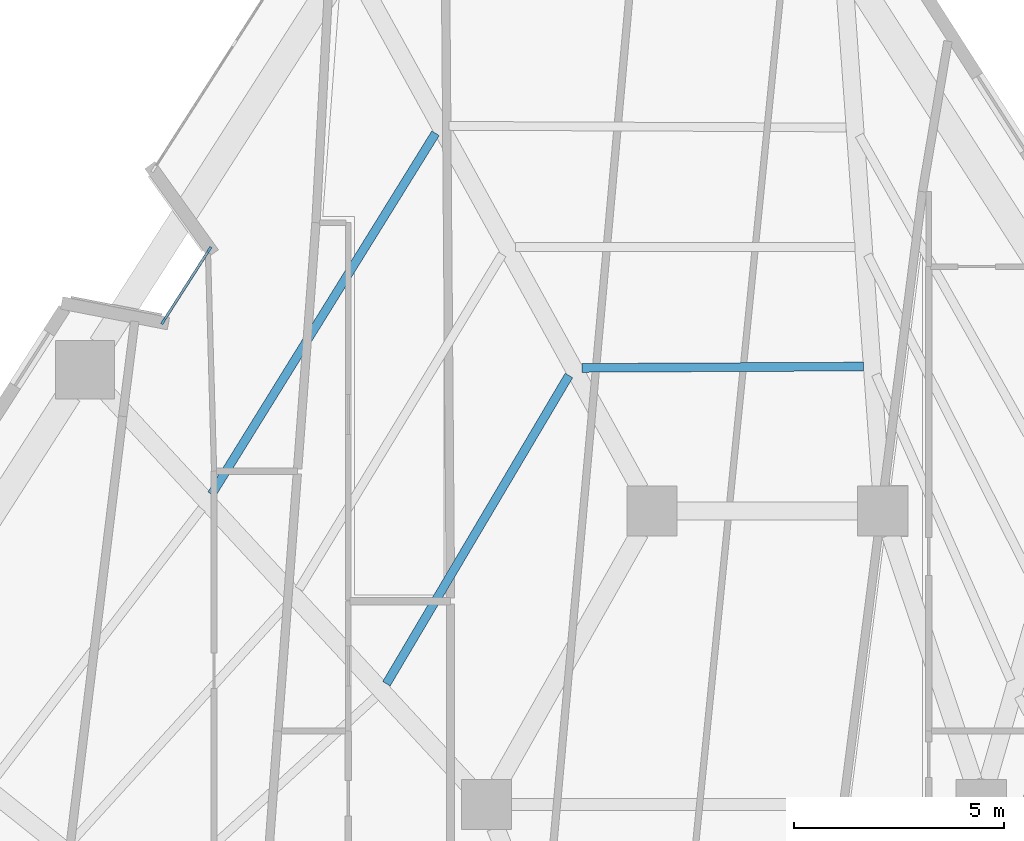
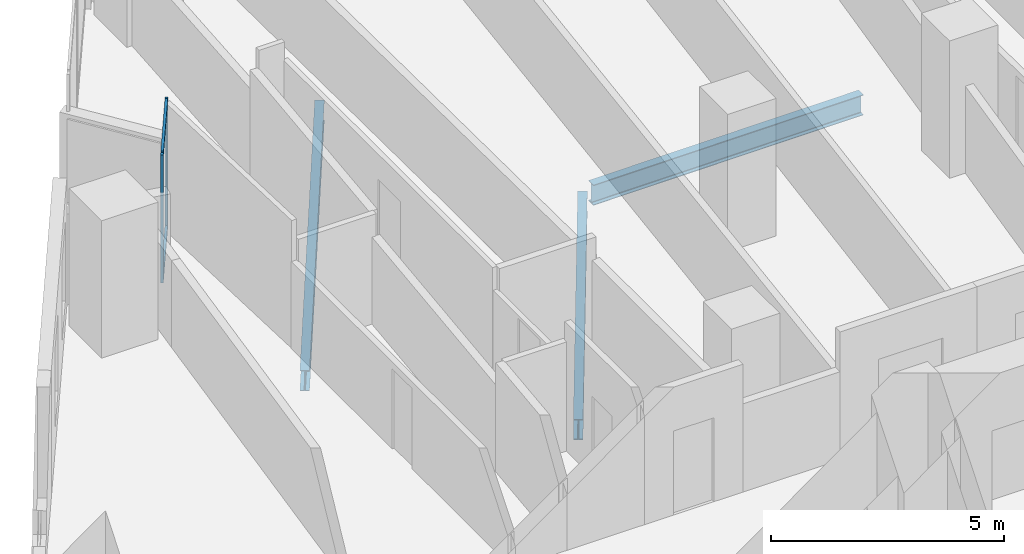
# One storey, part 2 of 14: 4 members, 3 beams, 1 element without a shape of its own.
"""IFC4 building model written with IfcOpenShell, lengths in metres."""

from ifc_helpers import new_model, si_unit, direction, frame, origin, origin_2d, place, context, subcontext, project, spatial, rectangle, i_section, extrude, material, layer, layer_set, material_profile, profile_set, type_object, element, aggregate, save


model = new_model("IFC4")

# Units and contexts
model_context = context("Model", 3, precision=1e-05, world=origin(), true_north=direction((0.0, 1.0)))
body_context = subcontext(model_context, "Body", "Model", "MODEL_VIEW")
ifc_project = project(units=[si_unit("LENGTHUNIT", "METRE"), si_unit("AREAUNIT", "SQUARE_METRE"), si_unit("VOLUMEUNIT", "CUBIC_METRE"), si_unit("PLANEANGLEUNIT", "RADIAN"), si_unit("MASSUNIT", "GRAM", prefix="KILO")], contexts=[model_context])

# Site, building, storey
site_placement = place(None, origin())
site = spatial("IfcSite", under=ifc_project, at=site_placement, CompositionType="ELEMENT")
building_placement = place(site_placement, origin())
building = spatial("IfcBuilding", under=site, at=building_placement, Name="Almagre Mirador Tower", CompositionType="ELEMENT")
storey_placement = place(building_placement, frame((0.0, 0.0, 46.199951171875)))
storey = spatial("IfcBuildingStorey", under=building, at=storey_placement, Name="L10", CompositionType="ELEMENT", Elevation=46.199951171875)

# Beams
ifc_material_1 = material(Name="Steel ASTM A992 Grade 50", Category="steel")
ifc_material_profile_1 = material_profile(ifc_material_1, i_section(OverallWidth=0.208984375, OverallDepth=0.532958984375, WebThickness=0.01025390625, FlangeThickness=0.015625, FilletRadius=0.01806640625, at=origin_2d()), Name="W21X62")
ifc_profile_set_1 = profile_set([ifc_material_profile_1], Name="Steel ASTM A992 Grade 50")
beam_type = type_object("IfcBeamType", Name="BM-JST-W21X62", PredefinedType="JOIST", material=ifc_profile_set_1)
beam_1_placement = place(storey_placement, frame((42.391357421875, 29.647705078125, -0.516357421875), z_axis=(-0.999988115515, -0.004875328633, 0.0), x_axis=(0.004875328633, -0.999988115515, 0.0)))
element("IfcBeam", 1, at=beam_1_placement, inside=storey, type_object=beam_type, Name="L10 secondary floor joist PC08-PC09.3", PredefinedType="JOIST", context=body_context, shape_type="SweptSolid", body=[
    extrude(i_section(OverallWidth=0.208984375, OverallDepth=0.532958984375, WebThickness=0.01025390625, FlangeThickness=0.015625, FilletRadius=0.01806640625, at=origin_2d()), origin(), (0.0, 0.0, 1.0), 6.710205078125),
])
beam_2_placement = place(storey_placement, frame((32.18310546875, 35.212158203125, -0.516357421875), z_axis=(-0.527013798236, -0.849856727024, 0.0), x_axis=(0.849856727024, -0.527013798236, 0.0)))
element("IfcBeam", 2, at=beam_2_placement, inside=storey, type_object=beam_type, Name="L10 secondary floor joist PC09-PC10.1", PredefinedType="JOIST", context=body_context, shape_type="SweptSolid", body=[
    extrude(i_section(OverallWidth=0.208984375, OverallDepth=0.532958984375, WebThickness=0.01025390625, FlangeThickness=0.015625, FilletRadius=0.01806640625, at=origin_2d()), origin(), (0.0, 0.0, 1.0), 10.134033203125),
])
beam_3_placement = place(storey_placement, frame((35.364990234375, 29.43359375, -0.516357421875), z_axis=(-0.509402085544, -0.860528625464, 0.0), x_axis=(0.860528625464, -0.509402085544, 0.0)))
element("IfcBeam", 3, at=beam_3_placement, inside=storey, type_object=beam_type, Name="L10 secondary floor joist PC09-PC10.3", PredefinedType="JOIST", context=body_context, shape_type="SweptSolid", body=[
    extrude(i_section(OverallWidth=0.208984375, OverallDepth=0.532958984375, WebThickness=0.01025390625, FlangeThickness=0.015625, FilletRadius=0.01806640625, at=origin_2d()), origin(), (0.0, 0.0, 1.0), 8.5439453125),
])

# Curtain wall, members
ifc_material_2 = material(Name="Black anodized aluminium", Category="aluminium")
ifc_layer = layer(ifc_material_2, 0.169921875)
ifc_layer_set = layer_set([ifc_layer], Name="Black anodized aluminium")
curtain_wall_type = type_object("IfcCurtainWallType", Name="CW-CRS-SYS", PredefinedType="NOTDEFINED", material=ifc_layer_set)
curtain_wall_placement = place(storey_placement, origin())
curtain_wall = element("IfcCurtainWall", 4, at=curtain_wall_placement, inside=storey, type_object=curtain_wall_type, Name="L10 vertical crease curtain wall 01", PredefinedType="NOTDEFINED")
ifc_material_3 = material(Name="Black anodized aluminium", Category="aluminium")
ifc_material_profile_2 = material_profile(ifc_material_3, rectangle(XDim=0.06005859375, YDim=0.14990234375, at=origin_2d()), Name="CWM60X150")
ifc_profile_set_2 = profile_set([ifc_material_profile_2], Name="Black anodized aluminium")
member_type_1 = type_object("IfcMemberType", Name="MBR-CWM60X150", PredefinedType="MULLION", material=ifc_profile_set_2)
member_1_placement = place(storey_placement, frame((25.689208984375, 30.724365234375, 0.0), z_axis=(0.0, 0.0, 1.0), x_axis=(-0.842141027103, 0.539257350873, 0.0)))
member_1 = element("IfcMember", 5, at=member_1_placement, type_object=member_type_1, Name="CW-4 mullion 1", PredefinedType="MULLION", context=body_context, shape_type="SweptSolid", body=[
    extrude(rectangle(XDim=0.06005859375, YDim=0.14990234375, at=origin_2d()), origin(), (0.0, 0.0, 1.0), 3.35009765625),
])
member_2_placement = place(storey_placement, frame((26.783935546875, 32.433837890625, 0.0), z_axis=(0.0, 0.0, 1.0), x_axis=(-0.842141027103, 0.539257350873, 0.0)))
member_2 = element("IfcMember", 6, at=member_2_placement, type_object=member_type_1, Name="CW-4 mullion 2", PredefinedType="MULLION", context=body_context, shape_type="SweptSolid", body=[
    extrude(rectangle(XDim=0.06005859375, YDim=0.14990234375, at=origin_2d()), origin(), (0.0, 0.0, 1.0), 3.35009765625),
])
ifc_material_4 = material(Name="Black anodized aluminium", Category="aluminium")
ifc_material_profile_3 = material_profile(ifc_material_4, rectangle(XDim=0.06005859375, YDim=0.1298828125, at=origin_2d()), Name="CWT60X130")
ifc_profile_set_3 = profile_set([ifc_material_profile_3], Name="Black anodized aluminium")
member_type_2 = type_object("IfcMemberType", Name="MBR-CWT60X130", PredefinedType="USERDEFINED", material=ifc_profile_set_3)
member_3_placement = place(storey_placement, frame((25.705322265625, 30.74951171875, 0.030029296875), z_axis=(0.539247112967, 0.842147582765, 0.0), x_axis=(-0.842147582765, 0.539247112967, 0.0)))
member_3 = element("IfcMember", 7, at=member_3_placement, type_object=member_type_2, Name="CW-4 transom 1.1", ObjectType="TRANSOM", PredefinedType="USERDEFINED", context=body_context, shape_type="SweptSolid", body=[
    extrude(rectangle(XDim=0.06005859375, YDim=0.1298828125, at=origin_2d()), origin(), (0.0, 0.0, 1.0), 1.969970703125),
])
member_4_placement = place(storey_placement, frame((25.705322265625, 30.74951171875, 3.320068359375), z_axis=(0.539247112967, 0.842147582765, 0.0), x_axis=(-0.842147582765, 0.539247112967, 0.0)))
member_4 = element("IfcMember", 8, at=member_4_placement, type_object=member_type_2, Name="CW-4 transom 1.2", ObjectType="TRANSOM", PredefinedType="USERDEFINED", context=body_context, shape_type="SweptSolid", body=[
    extrude(rectangle(XDim=0.06005859375, YDim=0.1298828125, at=origin_2d()), origin(), (0.0, 0.0, 1.0), 1.969970703125),
])
aggregate(curtain_wall, [member_1, member_2, member_3, member_4])

save(model, "model.ifc")
